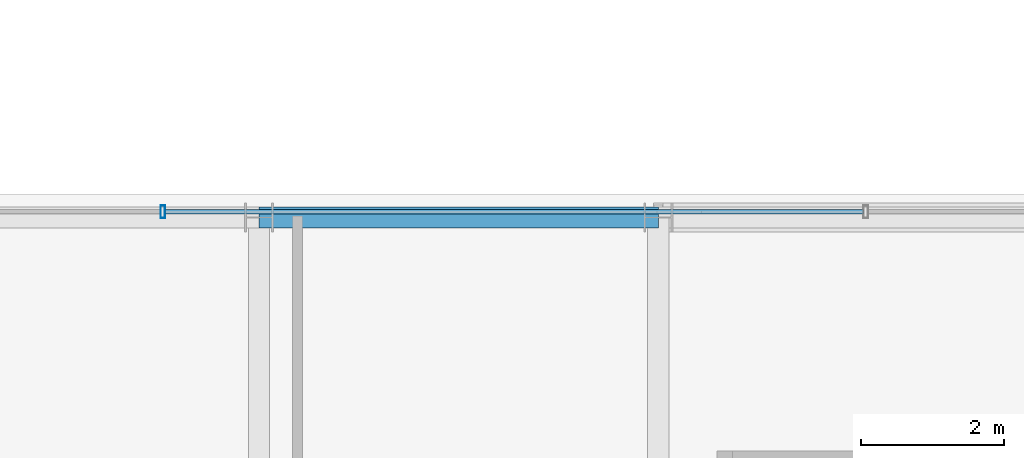
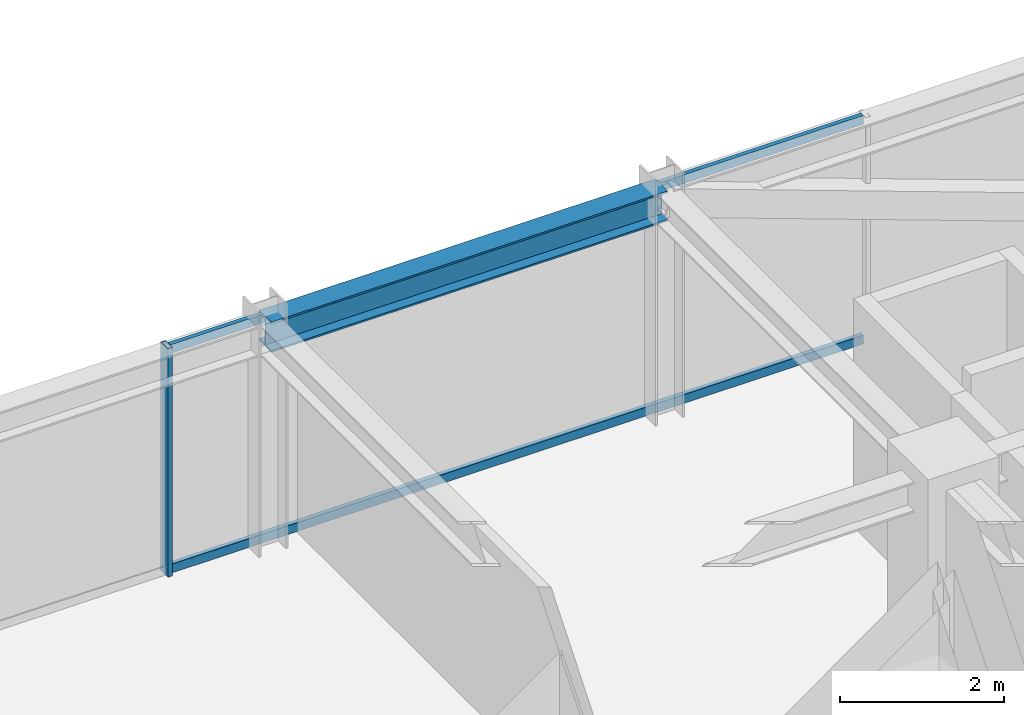
# One storey, part 23 of 36: 3 members, 1 beam, 1 element without a shape of its own.
"""IFC4 building model written with IfcOpenShell, lengths in metres."""

from ifc_helpers import new_model, si_unit, direction, frame, origin, origin_2d, place, context, subcontext, project, spatial, hollow_rectangle, i_section, extrude, source, transform, mapped, material, material_profile, profile_set, type_object, element, aggregate, save


model = new_model("IFC4")

# Units and contexts
model_context = context("Model", 3, precision=1e-05, world=origin(), true_north=direction((0.0, 1.0)))
body_context = subcontext(model_context, "Body", "Model", "MODEL_VIEW")
ifc_project = project(units=[si_unit("LENGTHUNIT", "METRE"), si_unit("AREAUNIT", "SQUARE_METRE"), si_unit("VOLUMEUNIT", "CUBIC_METRE"), si_unit("PLANEANGLEUNIT", "RADIAN"), si_unit("MASSUNIT", "GRAM", prefix="KILO")], contexts=[model_context])

# Site, building, storey
site_placement = place(None, origin())
site = spatial("IfcSite", under=ifc_project, at=site_placement, CompositionType="ELEMENT")
building_placement = place(site_placement, origin())
building = spatial("IfcBuilding", under=site, at=building_placement, Name="Nahalor Promenade Grand Hotel", CompositionType="ELEMENT")
storey_placement = place(building_placement, frame((0.0, 0.0, 234.5)))
storey = spatial("IfcBuildingStorey", under=building, at=storey_placement, Name="L60", CompositionType="ELEMENT", Elevation=234.5)

# Beam
ifc_material_1 = material(Name="Steel S355JR", Category="steel")
ifc_material_profile_1 = material_profile(ifc_material_1, i_section(OverallWidth=0.3, OverallDepth=0.45, WebThickness=0.014, FlangeThickness=0.026, at=origin_2d()), Name="HEB 450")
ifc_profile_set_1 = profile_set([ifc_material_profile_1], Name="Steel S355JR")
beam_type = type_object("IfcBeamType", Name="Beam-Spandrel-HEB450", PredefinedType="SPANDREL", material=ifc_profile_set_1)
shared_shape_1 = source(origin(), body_context, "Body", "SweptSolid", [
    extrude(i_section(OverallWidth=0.3, OverallDepth=0.45, WebThickness=0.014, FlangeThickness=0.026, at=origin_2d()), origin(), (0.0, 0.0, 1.0), 5.599853515625),
])
beam_placement = place(storey_placement, frame((2.800048828125, 23.8798828125, 3.18505859375), z_axis=(1.0, 0.0, 0.0), x_axis=(0.0, 1.0, 0.0)))
element("IfcBeam", 1, at=beam_placement, inside=storey, type_object=beam_type, Name="BM-L60-SP-N-3", PredefinedType="SPANDREL", context=body_context, shape_type="MappedRepresentation", body=[
    mapped(shared_shape_1, transform((0.0, 0.0, 0.0), scale=1.0)),
])

# Curtain wall, members
ifc_material_2 = material(Name="Anodised Bronze Aluminium EN AW-6063 T6", Category="aluminium")
curtain_wall_type = type_object("IfcCurtainWallType", Name="CW2 Typical Hotel Flush Bronze Unitised Curtain Wall", PredefinedType="USERDEFINED", material=ifc_material_2)
curtain_wall_placement = place(storey_placement, origin())
curtain_wall = element("IfcCurtainWall", 2, at=curtain_wall_placement, inside=storey, type_object=curtain_wall_type, Name="L60 Curtain Wall CW-L60-N-3", ObjectType="UNITISED_CURTAIN_WALL", PredefinedType="USERDEFINED")
ifc_material_profile_2 = material_profile(ifc_material_2, hollow_rectangle(XDim=0.065, YDim=0.13, WallThickness=0.004, at=origin_2d()), Name="CWT 65x130x4")
ifc_profile_set_2 = profile_set([ifc_material_profile_2], Name="Anodised Bronze Aluminium EN AW-6063 T6")
member_type_1 = type_object("IfcMemberType", Name="CWT2 Typical Bronze Transom 65x130", PredefinedType="USERDEFINED", material=ifc_profile_set_2)
shared_shape_2 = source(origin(), body_context, "Body", "SweptSolid", [
    extrude(hollow_rectangle(XDim=0.065, YDim=0.13, WallThickness=0.004, at=origin_2d()), origin(), (0.0, 0.0, 1.0), 9.788330078125),
])
member_1_placement = place(storey_placement, frame((1.48583984375, 23.9599609375, 0.06494140625), z_axis=(1.0, 0.0, 0.0), x_axis=(0.0, 1.0, 0.0)))
member_1 = element("IfcMember", 3, at=member_1_placement, type_object=member_type_1, Name="CW-L60-N-3 Transom 1-0", ObjectType="TRANSOM", PredefinedType="USERDEFINED", context=body_context, shape_type="MappedRepresentation", body=[
    mapped(shared_shape_2, transform((0.0, 0.0, 0.0), scale=1.0)),
])
member_2_placement = place(storey_placement, frame((1.48583984375, 23.9599609375, 3.344970703125), z_axis=(1.0, 0.0, 0.0), x_axis=(0.0, 1.0, 0.0)))
member_2 = element("IfcMember", 4, at=member_2_placement, type_object=member_type_1, Name="CW-L60-N-3 Transom 1-1", ObjectType="TRANSOM", PredefinedType="USERDEFINED", context=body_context, shape_type="MappedRepresentation", body=[
    mapped(shared_shape_2, transform((0.0, 0.0, 0.0), scale=1.0)),
])
ifc_material_profile_3 = material_profile(ifc_material_2, hollow_rectangle(XDim=0.065, YDim=0.18, WallThickness=0.004, at=origin_2d()), Name="CWM 65x180x4")
ifc_profile_set_3 = profile_set([ifc_material_profile_3], Name="Anodised Bronze Aluminium EN AW-6063 T6")
member_type_2 = type_object("IfcMemberType", Name="CWM2 Typical Bronze Mullion 65x180", PredefinedType="MULLION", material=ifc_profile_set_3)
shared_shape_3 = source(origin(), body_context, "Body", "SweptSolid", [
    extrude(hollow_rectangle(XDim=0.065, YDim=0.18, WallThickness=0.004, at=origin_2d()), origin(), (0.0, 0.0, 1.0), 3.409912109375),
])
member_3_placement = place(storey_placement, frame((1.453369140625, 23.9599609375, 0.0), z_axis=(0.0, 0.0, 1.0), x_axis=(1.0, 0.0, 0.0)))
member_3 = element("IfcMember", 5, at=member_3_placement, type_object=member_type_2, Name="CW-L60-N-3 Mullion 1", PredefinedType="MULLION", context=body_context, shape_type="MappedRepresentation", body=[
    mapped(shared_shape_3, transform((0.0, 0.0, 0.0), scale=1.0)),
])
aggregate(curtain_wall, [member_3, member_1, member_2])

save(model, "model.ifc")
